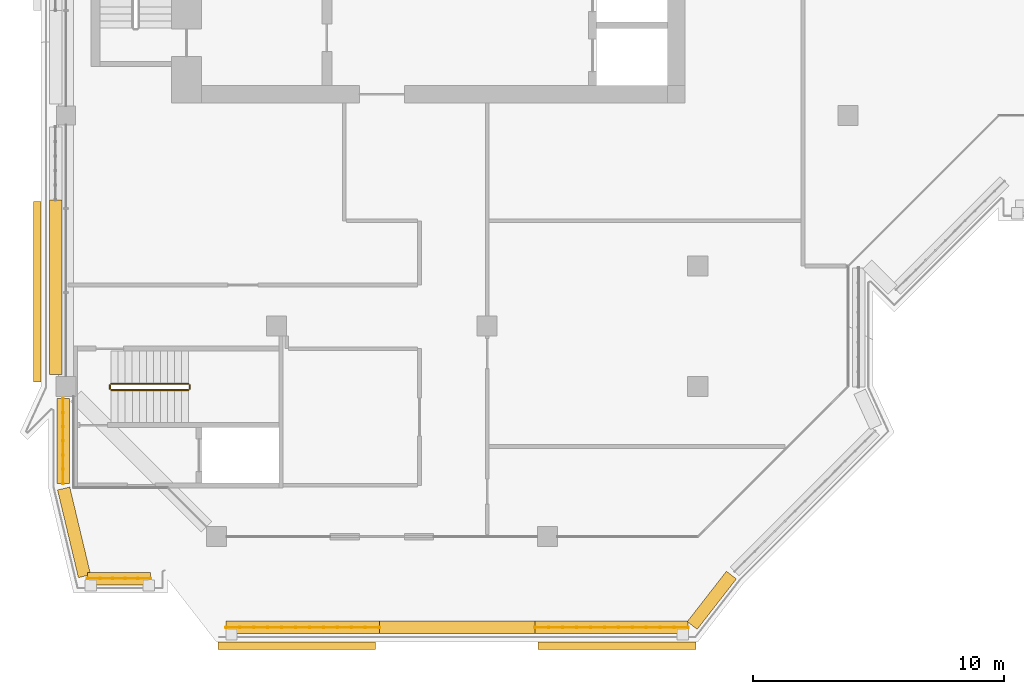
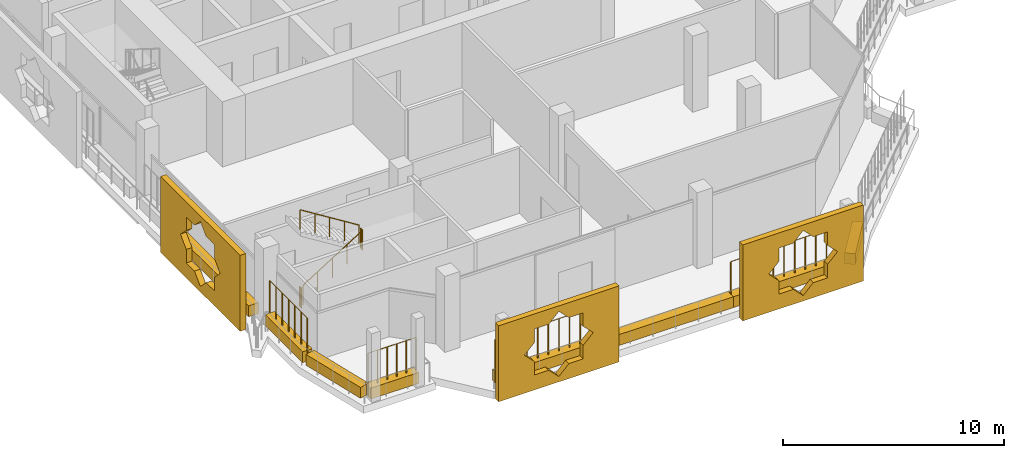
# One storey, part 15 of 21: 11 coverings, 8 railings.
"""IFC4 building model written with IfcOpenShell, lengths in metres."""

from ifc_helpers import new_model, si_unit, direction, frame, origin, origin_2d, place, context, subcontext, project, spatial, polyline, rectangle, circle, outline, extrude, material, material_profile, profile_set, type_object, element, save


model = new_model("IFC4")

# Units and contexts
model_context = context("Model", 3, precision=1e-05, world=origin(), true_north=direction((0.0, 1.0)))
body_context = subcontext(model_context, "Body", "Model", "MODEL_VIEW")
ifc_project = project(units=[si_unit("LENGTHUNIT", "METRE"), si_unit("AREAUNIT", "SQUARE_METRE"), si_unit("VOLUMEUNIT", "CUBIC_METRE"), si_unit("PLANEANGLEUNIT", "RADIAN"), si_unit("MASSUNIT", "GRAM", prefix="KILO")], contexts=[model_context])

# Site, building, storey
site_placement = place(None, origin())
site = spatial("IfcSite", under=ifc_project, at=site_placement, CompositionType="ELEMENT")
building_placement = place(site_placement, origin())
building = spatial("IfcBuilding", under=site, at=building_placement, Name="Kawkab Arch Medical Tower", CompositionType="ELEMENT")
storey_placement = place(building_placement, frame((0.0, 0.0, 315.39990234375)))
storey = spatial("IfcBuildingStorey", under=building, at=storey_placement, Name="L73", CompositionType="ELEMENT", Elevation=315.39990234375)

# Coverings
ifc_material_1 = material(Name="Bronze anodised aluminium mashrabiya panel, eight-point star pattern", Category="aluminium")
ifc_material_profile_1 = material_profile(ifc_material_1, outline(polyline([(-3.14990234375, -2.10009765625), (3.14990234375, -2.10009765625), (3.14990234375, 2.10009765625), (-3.14990234375, 2.10009765625), (-3.14990234375, -2.10009765625)]), holes=[polyline([(1.800048828125, 0.0), (1.272705078125, 0.527099609375), (1.272705078125, 1.272705078125), (0.527099609375, 1.272705078125), (0.0, 1.800048828125), (-0.527099609375, 1.272705078125), (-1.272705078125, 1.272705078125), (-1.272705078125, 0.527099609375), (-1.800048828125, 0.0), (-1.272705078125, -0.527099609375), (-1.272705078125, -1.272705078125), (-0.527099609375, -1.272705078125), (0.0, -1.800048828125), (0.527099609375, -1.272705078125), (1.272705078125, -1.272705078125), (1.272705078125, -0.527099609375), (1.800048828125, 0.0)])]), Name="Mashrabiya panel 6300x4200")
ifc_profile_set_1 = profile_set([ifc_material_profile_1], Name="Bronze anodised aluminium mashrabiya panel, eight-point star pattern")
covering_type_1 = type_object("IfcCoveringType", Name="Mashrabiya panel 6300 x 4200", PredefinedType="USERDEFINED", material=ifc_profile_set_1)
for number, where, z_axis, x_axis, name in (
    (1, (21.976806640625, -46.199951171875, 1.7001953125), (0.0, -1.0, 0.0), (1.0, 0.0, 0.0), "Mashrabiya panel L73.LOG-01-01.8"),
    (2, (9.203369140625, -46.199951171875, 1.7001953125), (0.0, -1.0, 0.0), (1.0, 0.0, 0.0), "Mashrabiya panel L73.LOG-01-01.9"),
):
    element("IfcCovering", number, at=place(storey_placement, frame(where, z_axis=z_axis, x_axis=x_axis)), inside=storey, type_object=covering_type_1, Name=name, ObjectType="SCREEN", PredefinedType="USERDEFINED", context=body_context, shape_type="SweptSolid", body=[
        extrude(outline(polyline([(-3.14990234375, -2.10009765625), (3.14990234375, -2.10009765625), (3.14990234375, 2.10009765625), (-3.14990234375, 2.10009765625), (-3.14990234375, -2.10009765625)]), holes=[polyline([(1.800048828125, 0.0), (1.272705078125, 0.527099609375), (1.272705078125, 1.272705078125), (0.527099609375, 1.272705078125), (0.0, 1.800048828125), (-0.527099609375, 1.272705078125), (-1.272705078125, 1.272705078125), (-1.272705078125, 0.527099609375), (-1.800048828125, 0.0), (-1.272705078125, -0.527099609375), (-1.272705078125, -1.272705078125), (-0.527099609375, -1.272705078125), (0.0, -1.800048828125), (0.527099609375, -1.272705078125), (1.272705078125, -1.272705078125), (1.272705078125, -0.527099609375), (1.800048828125, 0.0)])]), origin(), (0.0, 0.0, 1.0), 0.300048828125),
    ])
ifc_material_2 = material(Name="Bronze anodised aluminium mashrabiya panel, eight-point star pattern", Category="aluminium")
ifc_material_profile_2 = material_profile(ifc_material_2, outline(polyline([(-3.60009765625, -2.10009765625), (3.60009765625, -2.10009765625), (3.60009765625, 2.10009765625), (-3.60009765625, 2.10009765625), (-3.60009765625, -2.10009765625)]), holes=[polyline([(1.800048828125, 0.0), (1.272705078125, 0.527099609375), (1.272705078125, 1.272705078125), (0.527099609375, 1.272705078125), (0.0, 1.800048828125), (-0.527099609375, 1.272705078125), (-1.272705078125, 1.272705078125), (-1.272705078125, 0.527099609375), (-1.800048828125, 0.0), (-1.272705078125, -0.527099609375), (-1.272705078125, -1.272705078125), (-0.527099609375, -1.272705078125), (0.0, -1.800048828125), (0.527099609375, -1.272705078125), (1.272705078125, -1.272705078125), (1.272705078125, -0.527099609375), (1.800048828125, 0.0)])]), Name="Mashrabiya panel 7200x4200")
ifc_profile_set_2 = profile_set([ifc_material_profile_2], Name="Bronze anodised aluminium mashrabiya panel, eight-point star pattern")
covering_type_2 = type_object("IfcCoveringType", Name="Mashrabiya panel 7200 x 4200", PredefinedType="USERDEFINED", material=ifc_profile_set_2)
covering_1_placement = place(storey_placement, frame((-1.0, -32.231689453125, 1.7001953125), z_axis=(-1.0, 0.0, 0.0), x_axis=(0.0, -1.0, 0.0)))
element("IfcCovering", 3, at=covering_1_placement, inside=storey, type_object=covering_type_2, Name="Mashrabiya panel L73.LOG-01-01.1", ObjectType="SCREEN", PredefinedType="USERDEFINED", context=body_context, shape_type="SweptSolid", body=[
    extrude(outline(polyline([(-3.60009765625, -2.10009765625), (3.60009765625, -2.10009765625), (3.60009765625, 2.10009765625), (-3.60009765625, 2.10009765625), (-3.60009765625, -2.10009765625)]), holes=[polyline([(1.800048828125, 0.0), (1.272705078125, 0.527099609375), (1.272705078125, 1.272705078125), (0.527099609375, 1.272705078125), (0.0, 1.800048828125), (-0.527099609375, 1.272705078125), (-1.272705078125, 1.272705078125), (-1.272705078125, 0.527099609375), (-1.800048828125, 0.0), (-1.272705078125, -0.527099609375), (-1.272705078125, -1.272705078125), (-0.527099609375, -1.272705078125), (0.0, -1.800048828125), (0.527099609375, -1.272705078125), (1.272705078125, -1.272705078125), (1.272705078125, -0.527099609375), (1.800048828125, 0.0)])]), origin(), (0.0, 0.0, 1.0), 0.300048828125),
])
ifc_material_3 = material(Name="Planting soil in a precast trough", Category="concrete")
ifc_material_profile_3 = material_profile(ifc_material_3, rectangle(XDim=0.5, YDim=0.60009765625, at=origin_2d()), Name="Trough 500x600")
ifc_profile_set_3 = profile_set([ifc_material_profile_3], Name="Planting soil in a precast trough")
covering_type_3 = type_object("IfcCoveringType", Name="Planter trough 500 x 600", PredefinedType="USERDEFINED", material=ifc_profile_set_3)
covering_2_placement = place(storey_placement, frame((3.3701171875, -43.669921875, 0.300048828125), z_axis=(-1.0, 0.0, 0.0), x_axis=(0.0, -1.0, 0.0)))
element("IfcCovering", 4, at=covering_2_placement, inside=storey, type_object=covering_type_3, Name="Planter L73.LOG-01-01.1", ObjectType="PLANTER", PredefinedType="USERDEFINED", context=body_context, shape_type="SweptSolid", body=[
    extrude(rectangle(XDim=0.5, YDim=0.60009765625, at=origin_2d()), origin(), (0.0, 0.0, 1.0), 2.51220703125),
])
covering_3_placement = place(storey_placement, frame((0.735107421875, -43.572998046875, 0.300048828125), z_axis=(-0.231660349642, 0.972796732315, 0.0), x_axis=(-0.972796732315, -0.231660349642, 0.0)))
element("IfcCovering", 5, at=covering_3_placement, inside=storey, type_object=covering_type_3, Name="Planter L73.LOG-01-01.2", ObjectType="PLANTER", PredefinedType="USERDEFINED", context=body_context, shape_type="SweptSolid", body=[
    extrude(rectangle(XDim=0.5, YDim=0.60009765625, at=origin_2d()), origin(), (0.0, 0.0, 1.0), 3.591552734375),
])
covering_4_placement = place(storey_placement, frame((-0.1201171875, -39.882080078125, 0.300048828125), z_axis=(0.0, 1.0, 0.0), x_axis=(-1.0, 0.0, 0.0)))
element("IfcCovering", 6, at=covering_4_placement, inside=storey, type_object=covering_type_3, Name="Planter L73.LOG-01-01.3", ObjectType="PLANTER", PredefinedType="USERDEFINED", context=body_context, shape_type="SweptSolid", body=[
    extrude(rectangle(XDim=0.5, YDim=0.60009765625, at=origin_2d()), origin(), (0.0, 0.0, 1.0), 3.402099609375),
])
covering_5_placement = place(storey_placement, frame((-0.419921875, -35.52001953125, 0.300048828125), z_axis=(0.0, 1.0, 0.0), x_axis=(-1.0, 0.0, 0.0)))
element("IfcCovering", 7, at=covering_5_placement, inside=storey, type_object=covering_type_3, Name="Planter L73.LOG-01-01.4", ObjectType="PLANTER", PredefinedType="USERDEFINED", context=body_context, shape_type="SweptSolid", body=[
    extrude(rectangle(XDim=0.5, YDim=0.60009765625, at=origin_2d()), origin(), (0.0, 0.0, 1.0), 6.95703125),
])
covering_6_placement = place(storey_placement, frame((26.541015625, -43.531982421875, 0.300048828125), z_axis=(-0.61404021143, -0.789274742246, 0.0), x_axis=(0.789274742246, -0.61404021143, 0.0)))
element("IfcCovering", 8, at=covering_6_placement, inside=storey, type_object=covering_type_3, Name="Planter L73.LOG-01-01.34", ObjectType="PLANTER", PredefinedType="USERDEFINED", context=body_context, shape_type="SweptSolid", body=[
    extrude(rectangle(XDim=0.5, YDim=0.60009765625, at=origin_2d()), origin(), (0.0, 0.0, 1.0), 2.54541015625),
])
covering_7_placement = place(storey_placement, frame((24.81591796875, -45.6201171875, 0.300048828125), z_axis=(-1.0, 0.0, 0.0), x_axis=(0.0, -1.0, 0.0)))
element("IfcCovering", 9, at=covering_7_placement, inside=storey, type_object=covering_type_3, Name="Planter L73.LOG-01-01.35", ObjectType="PLANTER", PredefinedType="USERDEFINED", context=body_context, shape_type="SweptSolid", body=[
    extrude(rectangle(XDim=0.5, YDim=0.60009765625, at=origin_2d()), origin(), (0.0, 0.0, 1.0), 6.11083984375),
])
covering_8_placement = place(storey_placement, frame((18.705078125, -45.6201171875, 0.300048828125), z_axis=(-1.0, 0.0, 0.0), x_axis=(0.0, -1.0, 0.0)))
element("IfcCovering", 10, at=covering_8_placement, inside=storey, type_object=covering_type_3, Name="Planter L73.LOG-01-01.36", ObjectType="PLANTER", PredefinedType="USERDEFINED", context=body_context, shape_type="SweptSolid", body=[
    extrude(rectangle(XDim=0.5, YDim=0.60009765625, at=origin_2d()), origin(), (0.0, 0.0, 1.0), 6.2099609375),
])
covering_9_placement = place(storey_placement, frame((12.4951171875, -45.6201171875, 0.300048828125), z_axis=(-1.0, 0.0, 0.0), x_axis=(0.0, -1.0, 0.0)))
element("IfcCovering", 11, at=covering_9_placement, inside=storey, type_object=covering_type_3, Name="Planter L73.LOG-01-01.37", ObjectType="PLANTER", PredefinedType="USERDEFINED", context=body_context, shape_type="SweptSolid", body=[
    extrude(rectangle(XDim=0.5, YDim=0.60009765625, at=origin_2d()), origin(), (0.0, 0.0, 1.0), 6.111083984375),
])

# Railings
ifc_material_4 = material(Name="Bronze anodised aluminium trellis for climbing plants", Category="aluminium")
railing_type_1 = type_object("IfcRailingType", Name="Planting trellis 2400", PredefinedType="USERDEFINED", material=ifc_material_4)
railing_1_placement = place(storey_placement, frame((3.3701171875, -43.669921875, 0.0)))
element("IfcRailing", 12, at=railing_1_placement, inside=storey, type_object=railing_type_1, Name="Planting trellis L73.LOG-01-01.1", ObjectType="TRELLIS", PredefinedType="USERDEFINED", context=body_context, shape_type="SweptSolid", body=[
    extrude(circle(Radius=0.01513671875, at=origin_2d()), frame((0.0, 0.0, 2.384765625), z_axis=(-1.0, 0.0, 0.0), x_axis=(0.0, -1.0, 0.0)), (0.0, 0.0, 1.0), 2.51220703125),
    extrude(circle(Radius=0.030029296875, at=origin_2d()), origin(), (0.0, 0.0, 1.0), 2.369873046875),
    extrude(circle(Radius=0.030029296875, at=origin_2d()), frame((-0.50244140625, 0.0, 0.0)), (0.0, 0.0, 1.0), 2.369873046875),
    extrude(circle(Radius=0.030029296875, at=origin_2d()), frame((-1.0048828125, 0.0, 0.0)), (0.0, 0.0, 1.0), 2.369873046875),
    extrude(circle(Radius=0.030029296875, at=origin_2d()), frame((-1.50732421875, 0.0, 0.0)), (0.0, 0.0, 1.0), 2.369873046875),
    extrude(circle(Radius=0.030029296875, at=origin_2d()), frame((-2.009765625, 0.0, 0.0)), (0.0, 0.0, 1.0), 2.369873046875),
    extrude(circle(Radius=0.030029296875, at=origin_2d()), frame((-2.51220703125, 0.0, 0.0)), (0.0, 0.0, 1.0), 2.369873046875),
])
railing_2_placement = place(storey_placement, frame((-0.1201171875, -39.882080078125, 0.0)))
element("IfcRailing", 13, at=railing_2_placement, inside=storey, type_object=railing_type_1, Name="Planting trellis L73.LOG-01-01.3", ObjectType="TRELLIS", PredefinedType="USERDEFINED", context=body_context, shape_type="SweptSolid", body=[
    extrude(circle(Radius=0.01513671875, at=origin_2d()), frame((0.0, 0.0, 2.384765625), z_axis=(0.0, 1.0, 0.0), x_axis=(-1.0, 0.0, 0.0)), (0.0, 0.0, 1.0), 3.402099609375),
    extrude(circle(Radius=0.030029296875, at=origin_2d()), origin(), (0.0, 0.0, 1.0), 2.369873046875),
    extrude(circle(Radius=0.030029296875, at=origin_2d()), frame((0.0, 0.56689453125, 0.0)), (0.0, 0.0, 1.0), 2.369873046875),
    extrude(circle(Radius=0.030029296875, at=origin_2d()), frame((0.0, 1.134033203125, 0.0)), (0.0, 0.0, 1.0), 2.369873046875),
    extrude(circle(Radius=0.030029296875, at=origin_2d()), frame((0.0, 1.701171875, 0.0)), (0.0, 0.0, 1.0), 2.369873046875),
    extrude(circle(Radius=0.030029296875, at=origin_2d()), frame((0.0, 2.26806640625, 0.0)), (0.0, 0.0, 1.0), 2.369873046875),
    extrude(circle(Radius=0.030029296875, at=origin_2d()), frame((0.0, 2.8349609375, 0.0)), (0.0, 0.0, 1.0), 2.369873046875),
    extrude(circle(Radius=0.030029296875, at=origin_2d()), frame((0.0, 3.402099609375, 0.0)), (0.0, 0.0, 1.0), 2.369873046875),
])
railing_3_placement = place(storey_placement, frame((24.81591796875, -45.6201171875, 0.0)))
element("IfcRailing", 14, at=railing_3_placement, inside=storey, type_object=railing_type_1, Name="Planting trellis L73.LOG-01-01.35", ObjectType="TRELLIS", PredefinedType="USERDEFINED", context=body_context, shape_type="SweptSolid", body=[
    extrude(circle(Radius=0.01513671875, at=origin_2d()), frame((0.0, 0.0, 2.384765625), z_axis=(-1.0, 0.0, 0.0), x_axis=(0.0, -1.0, 0.0)), (0.0, 0.0, 1.0), 6.11083984375),
    extrude(circle(Radius=0.030029296875, at=origin_2d()), origin(), (0.0, 0.0, 1.0), 2.369873046875),
    extrude(circle(Radius=0.030029296875, at=origin_2d()), frame((-0.555419921875, 0.0, 0.0)), (0.0, 0.0, 1.0), 2.369873046875),
    extrude(circle(Radius=0.030029296875, at=origin_2d()), frame((-1.111083984375, 0.0, 0.0)), (0.0, 0.0, 1.0), 2.369873046875),
    extrude(circle(Radius=0.030029296875, at=origin_2d()), frame((-1.66650390625, 0.0, 0.0)), (0.0, 0.0, 1.0), 2.369873046875),
    extrude(circle(Radius=0.030029296875, at=origin_2d()), frame((-2.22216796875, 0.0, 0.0)), (0.0, 0.0, 1.0), 2.369873046875),
    extrude(circle(Radius=0.030029296875, at=origin_2d()), frame((-2.777587890625, 0.0, 0.0)), (0.0, 0.0, 1.0), 2.369873046875),
    extrude(circle(Radius=0.030029296875, at=origin_2d()), frame((-3.333251953125, 0.0, 0.0)), (0.0, 0.0, 1.0), 2.369873046875),
    extrude(circle(Radius=0.030029296875, at=origin_2d()), frame((-3.888671875, 0.0, 0.0)), (0.0, 0.0, 1.0), 2.369873046875),
    extrude(circle(Radius=0.030029296875, at=origin_2d()), frame((-4.4443359375, 0.0, 0.0)), (0.0, 0.0, 1.0), 2.369873046875),
    extrude(circle(Radius=0.030029296875, at=origin_2d()), frame((-4.999755859375, 0.0, 0.0)), (0.0, 0.0, 1.0), 2.369873046875),
    extrude(circle(Radius=0.030029296875, at=origin_2d()), frame((-5.555419921875, 0.0, 0.0)), (0.0, 0.0, 1.0), 2.369873046875),
    extrude(circle(Radius=0.030029296875, at=origin_2d()), frame((-6.11083984375, 0.0, 0.0)), (0.0, 0.0, 1.0), 2.369873046875),
])
railing_4_placement = place(storey_placement, frame((12.4951171875, -45.6201171875, 0.0)))
element("IfcRailing", 15, at=railing_4_placement, inside=storey, type_object=railing_type_1, Name="Planting trellis L73.LOG-01-01.37", ObjectType="TRELLIS", PredefinedType="USERDEFINED", context=body_context, shape_type="SweptSolid", body=[
    extrude(circle(Radius=0.01513671875, at=origin_2d()), frame((0.0, 0.0, 2.384765625), z_axis=(-1.0, 0.0, 0.0), x_axis=(0.0, -1.0, 0.0)), (0.0, 0.0, 1.0), 6.111083984375),
    extrude(circle(Radius=0.030029296875, at=origin_2d()), origin(), (0.0, 0.0, 1.0), 2.369873046875),
    extrude(circle(Radius=0.030029296875, at=origin_2d()), frame((-0.5556640625, 0.0, 0.0)), (0.0, 0.0, 1.0), 2.369873046875),
    extrude(circle(Radius=0.030029296875, at=origin_2d()), frame((-1.111083984375, 0.0, 0.0)), (0.0, 0.0, 1.0), 2.369873046875),
    extrude(circle(Radius=0.030029296875, at=origin_2d()), frame((-1.666748046875, 0.0, 0.0)), (0.0, 0.0, 1.0), 2.369873046875),
    extrude(circle(Radius=0.030029296875, at=origin_2d()), frame((-2.22216796875, 0.0, 0.0)), (0.0, 0.0, 1.0), 2.369873046875),
    extrude(circle(Radius=0.030029296875, at=origin_2d()), frame((-2.77783203125, 0.0, 0.0)), (0.0, 0.0, 1.0), 2.369873046875),
    extrude(circle(Radius=0.030029296875, at=origin_2d()), frame((-3.333251953125, 0.0, 0.0)), (0.0, 0.0, 1.0), 2.369873046875),
    extrude(circle(Radius=0.030029296875, at=origin_2d()), frame((-3.888916015625, 0.0, 0.0)), (0.0, 0.0, 1.0), 2.369873046875),
    extrude(circle(Radius=0.030029296875, at=origin_2d()), frame((-4.4443359375, 0.0, 0.0)), (0.0, 0.0, 1.0), 2.369873046875),
    extrude(circle(Radius=0.030029296875, at=origin_2d()), frame((-5.0, 0.0, 0.0)), (0.0, 0.0, 1.0), 2.369873046875),
    extrude(circle(Radius=0.030029296875, at=origin_2d()), frame((-5.555419921875, 0.0, 0.0)), (0.0, 0.0, 1.0), 2.369873046875),
    extrude(circle(Radius=0.030029296875, at=origin_2d()), frame((-6.111083984375, 0.0, 0.0)), (0.0, 0.0, 1.0), 2.369873046875),
])
ifc_material_5 = material(Name="Stainless steel", Category="steel")
railing_type_2 = type_object("IfcRailingType", Name="Stair guard 1100", PredefinedType="GUARDRAIL", material=ifc_material_5)
railing_5_placement = place(storey_placement, frame((1.800048828125, -36.14990234375, 0.175048828125)))
element("IfcRailing", 16, at=railing_5_placement, inside=storey, type_object=railing_type_2, Name="L73 ST6 stair guard 1", PredefinedType="GUARDRAIL", context=body_context, shape_type="SweptSolid", body=[
    extrude(circle(Radius=0.02392578125, at=origin_2d()), frame((0.0, 0.0, 1.076171875), z_axis=(0.847979421464, 0.0, 0.530029150871), x_axis=(0.0, 1.0, 0.0)), (0.0, 0.0, 1.0), 3.632080078125),
    extrude(circle(Radius=0.02099609375, at=origin_2d()), origin(), (0.0, 0.0, 1.0), 1.052001953125),
    extrude(circle(Radius=0.02099609375, at=origin_2d()), frame((0.77001953125, 0.0, 0.481201171875)), (0.0, 0.0, 1.0), 1.052001953125),
    extrude(circle(Radius=0.02099609375, at=origin_2d()), frame((1.5400390625, 0.0, 0.96240234375)), (0.0, 0.0, 1.0), 1.052001953125),
    extrude(circle(Radius=0.02099609375, at=origin_2d()), frame((2.309814453125, 0.0, 1.44384765625)), (0.0, 0.0, 1.0), 1.052001953125),
    extrude(circle(Radius=0.02099609375, at=origin_2d()), frame((3.079833984375, 0.0, 1.925048828125)), (0.0, 0.0, 1.0), 1.052001953125),
])
railing_6_placement = place(storey_placement, frame((4.929931640625, -36.10009765625, 2.10009765625)))
element("IfcRailing", 17, at=railing_6_placement, inside=storey, type_object=railing_type_2, Name="L73 ST6 stair guard 2", PredefinedType="GUARDRAIL", context=body_context, shape_type="SweptSolid", body=[
    extrude(circle(Radius=0.02392578125, at=origin_2d()), frame((0.0, 0.0, 1.076171875), z_axis=(0.0, 1.0, 0.0), x_axis=(-1.0, 0.0, 0.0)), (0.0, 0.0, 1.0), 0.150146484375),
    extrude(circle(Radius=0.02099609375, at=origin_2d()), origin(), (0.0, 0.0, 1.0), 1.052001953125),
    extrude(circle(Radius=0.02099609375, at=origin_2d()), frame((0.0, 0.150146484375, 0.0)), (0.0, 0.0, 1.0), 1.052001953125),
])
railing_7_placement = place(storey_placement, frame((4.8798828125, -35.89990234375, 2.275146484375)))
element("IfcRailing", 18, at=railing_7_placement, inside=storey, type_object=railing_type_2, Name="L73 ST6 stair guard 3", PredefinedType="GUARDRAIL", context=body_context, shape_type="SweptSolid", body=[
    extrude(circle(Radius=0.02392578125, at=origin_2d()), frame((0.0, 0.0, 1.076171875), z_axis=(-0.847979421464, 0.0, 0.530029150871), x_axis=(0.0, -1.0, 0.0)), (0.0, 0.0, 1.0), 3.632080078125),
    extrude(circle(Radius=0.02099609375, at=origin_2d()), origin(), (0.0, 0.0, 1.0), 1.052001953125),
    extrude(circle(Radius=0.02099609375, at=origin_2d()), frame((-0.77001953125, 0.0, 0.481201171875)), (0.0, 0.0, 1.0), 1.052001953125),
    extrude(circle(Radius=0.02099609375, at=origin_2d()), frame((-1.5400390625, 0.0, 0.96240234375)), (0.0, 0.0, 1.0), 1.052001953125),
    extrude(circle(Radius=0.02099609375, at=origin_2d()), frame((-2.309814453125, 0.0, 1.44384765625)), (0.0, 0.0, 1.0), 1.052001953125),
    extrude(circle(Radius=0.02099609375, at=origin_2d()), frame((-3.079833984375, 0.0, 1.925048828125)), (0.0, 0.0, 1.0), 1.052001953125),
])
railing_8_placement = place(storey_placement, frame((1.75, -36.10009765625, 0.0)))
element("IfcRailing", 19, at=railing_8_placement, inside=storey, type_object=railing_type_2, Name="L73 ST6 stair guard 4", PredefinedType="GUARDRAIL", context=body_context, shape_type="SweptSolid", body=[
    extrude(circle(Radius=0.02392578125, at=origin_2d()), frame((0.0, 0.0, 1.076171875), z_axis=(0.0, 1.0, 0.0), x_axis=(-1.0, 0.0, 0.0)), (0.0, 0.0, 1.0), 0.150146484375),
    extrude(circle(Radius=0.02099609375, at=origin_2d()), origin(), (0.0, 0.0, 1.0), 1.052001953125),
    extrude(circle(Radius=0.02099609375, at=origin_2d()), frame((0.0, 0.150146484375, 0.0)), (0.0, 0.0, 1.0), 1.052001953125),
])

save(model, "model.ifc")
